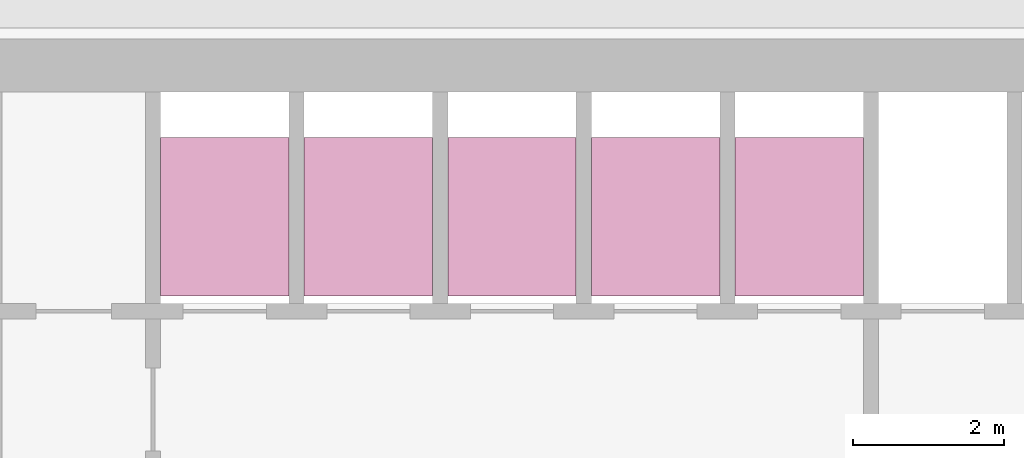
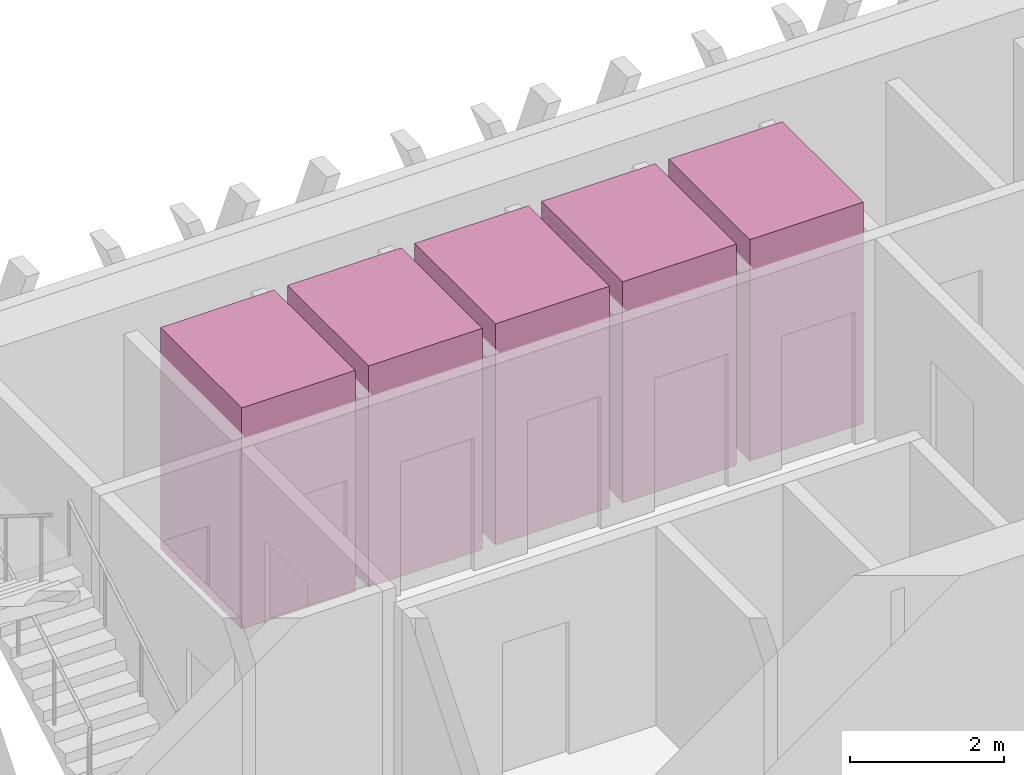
# One storey, part 15 of 15: 5 transport elements.
"""IFC4 building model written with IfcOpenShell, lengths in metres."""

from ifc_helpers import new_model, si_unit, direction, frame, origin, origin_2d, place, context, subcontext, project, spatial, rectangle, extrude, material, type_object, element, save


model = new_model("IFC4")

# Units and contexts
model_context = context("Model", 3, precision=1e-05, world=origin(), true_north=direction((0.0, 1.0)))
body_context = subcontext(model_context, "Body", "Model", "MODEL_VIEW")
ifc_project = project(units=[si_unit("LENGTHUNIT", "METRE"), si_unit("AREAUNIT", "SQUARE_METRE"), si_unit("VOLUMEUNIT", "CUBIC_METRE"), si_unit("PLANEANGLEUNIT", "RADIAN"), si_unit("MASSUNIT", "GRAM", prefix="KILO")], contexts=[model_context])

# Site, building, storey
site_placement = place(None, origin())
site = spatial("IfcSite", under=ifc_project, at=site_placement, CompositionType="ELEMENT")
building_placement = place(site_placement, origin())
building = spatial("IfcBuilding", under=site, at=building_placement, Name="Altiplano Prism Tower", CompositionType="ELEMENT")
storey_placement = place(building_placement, frame((0.0, 0.0, 171.0)))
storey = spatial("IfcBuildingStorey", under=building, at=storey_placement, Name="L44", CompositionType="ELEMENT", Elevation=171.0)

# Transport elements
ifc_material = material(Name="Stainless steel lift car", Category="steel")
transport_element_type = type_object("IfcTransportElementType", Name="Passenger lift car 1600 x 2100", PredefinedType="ELEVATOR", material=ifc_material)
for number, where, z_axis, x_axis, name in (
    (1, (79.050048828125, 101.75, 0.050048828125), (0.0, 0.0, 1.0), (1.0, 0.0, 0.0), "Mid Zone Passenger Lift 1"),
    (2, (80.949951171875, 101.75, 0.050048828125), (0.0, 0.0, 1.0), (1.0, 0.0, 0.0), "Mid Zone Passenger Lift 2"),
    (3, (82.85009765625, 101.75, 0.050048828125), (0.0, 0.0, 1.0), (1.0, 0.0, 0.0), "Mid Zone Passenger Lift 3"),
    (4, (84.75, 101.75, 0.050048828125), (0.0, 0.0, 1.0), (1.0, 0.0, 0.0), "Mid Zone Passenger Lift 4"),
    (5, (86.64990234375, 101.75, 0.050048828125), (0.0, 0.0, 1.0), (1.0, 0.0, 0.0), "Mid Zone Passenger Lift 5"),
):
    element("IfcTransportElement", number, at=place(storey_placement, frame(where, z_axis=z_axis, x_axis=x_axis)), inside=storey, type_object=transport_element_type, Name=name, PredefinedType="ELEVATOR", context=body_context, shape_type="SweptSolid", body=[
        extrude(rectangle(XDim=1.699951171875, YDim=2.10009765625, at=origin_2d()), origin(), (0.0, 0.0, 1.0), 3.5),
    ])

save(model, "model.ifc")
